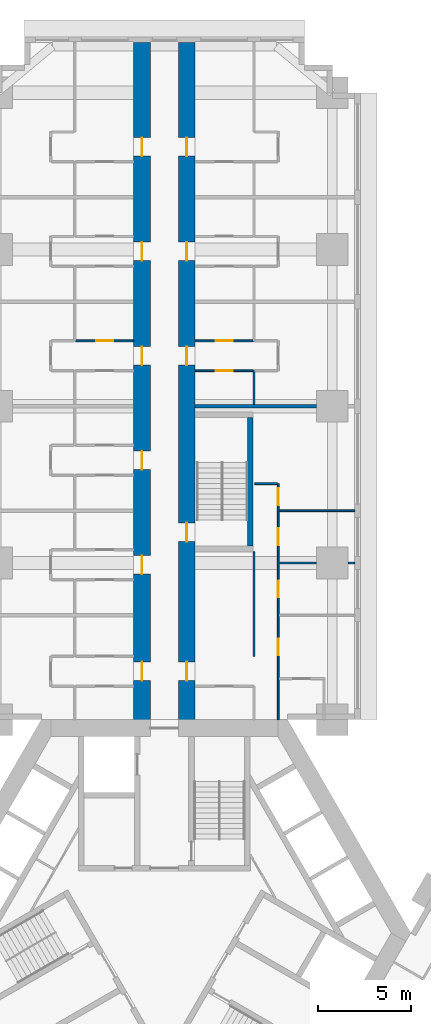
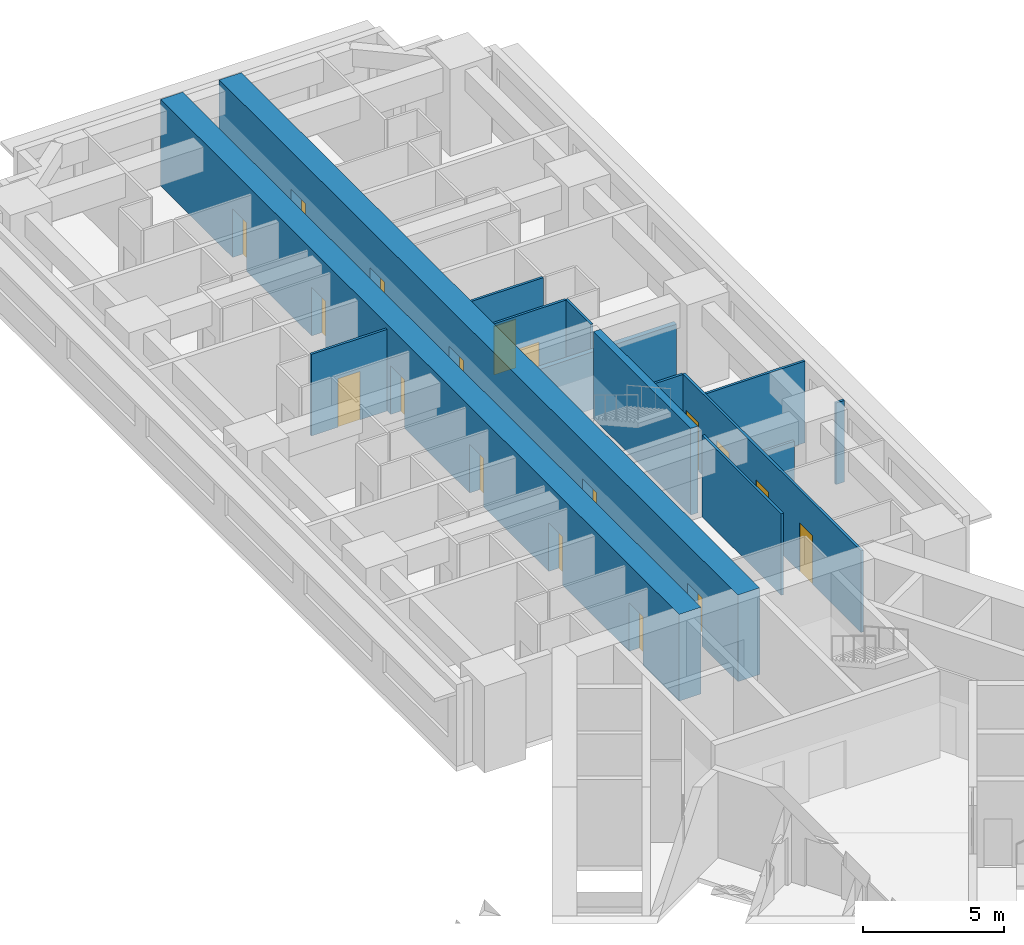
# One storey, part 10 of 17: 18 doors, 14 walls, 18 openings.
"""IFC4 building model written with IfcOpenShell, lengths in metres."""

from ifc_helpers import new_model, si_unit, direction, frame, frame_2d, origin, place, context, subcontext, project, spatial, rectangle, extrude, material, layer, layer_set, type_object, element, fill, save


model = new_model("IFC4")

# Units and contexts
model_context = context("Model", 3, precision=1e-05, world=origin(), true_north=direction((0.0, 1.0)))
body_context = subcontext(model_context, "Body", "Model", "MODEL_VIEW")
ifc_project = project(units=[si_unit("LENGTHUNIT", "METRE"), si_unit("AREAUNIT", "SQUARE_METRE"), si_unit("VOLUMEUNIT", "CUBIC_METRE"), si_unit("PLANEANGLEUNIT", "RADIAN"), si_unit("MASSUNIT", "GRAM", prefix="KILO")], contexts=[model_context])

# Site, building, storey
site_placement = place(None, origin())
site = spatial("IfcSite", under=ifc_project, at=site_placement, CompositionType="ELEMENT")
building_placement = place(site_placement, origin())
building = spatial("IfcBuilding", under=site, at=building_placement, Name="Impinga Residences", CompositionType="ELEMENT")
storey_placement = place(building_placement, frame((0.0, 0.0, 29.75)))
storey = spatial("IfcBuildingStorey", under=building, at=storey_placement, Name="L06", CompositionType="ELEMENT", Elevation=29.75)

# Wall, openings, doors
ifc_material_1 = material(Name="Concrete C70/85", Category="concrete")
ifc_layer_1 = layer(ifc_material_1, 0.89990234375)
ifc_layer_set_1 = layer_set([ifc_layer_1], Name="Concrete C70/85")
wall_type_1 = type_object("IfcWallType", Name="BW1 corridor buttress wall, L05 to L22 900", PredefinedType="SHEAR", material=ifc_layer_set_1)
wall_1_placement = place(storey_placement, frame((-1.199951171875, 10.9814453125, 0.0), z_axis=(0.0, 0.0, 1.0), x_axis=(0.0, 1.0, 0.0)))
wall_1 = element("IfcWall", 1, at=wall_1_placement, inside=storey, type_object=wall_type_1, Name="Corridor wall BW1 NC L06", PredefinedType="SHEAR", context=body_context, shape_type="SweptSolid", body=[
    extrude(rectangle(XDim=36.75, YDim=0.89990234375, at=frame_2d((18.375, 0.0))), origin(), (0.0, 0.0, 1.0), 3.75),
])
opening_1_placement = place(wall_1_placement, frame((2.550048828125, 0.0, 0.0)))
opening_1 = element("IfcOpeningElement", 2, at=opening_1_placement, cuts=wall_1, Name="Opening D1", PredefinedType="OPENING", context=body_context, shape_type="SweptSolid", body=[
    extrude(rectangle(XDim=1.0, YDim=2.10009765625, at=frame_2d((0.5, 1.050048828125))), frame((0.0, 0.4599609375, 0.0), z_axis=(0.0, -1.0, 0.0), x_axis=(1.0, 0.0, 0.0)), (0.0, 0.0, 1.0), 0.919921875),
])
opening_2_placement = place(wall_1_placement, frame((8.25, 0.0, 0.0)))
opening_2 = element("IfcOpeningElement", 3, at=opening_2_placement, cuts=wall_1, Name="Opening D1", PredefinedType="OPENING", context=body_context, shape_type="SweptSolid", body=[
    extrude(rectangle(XDim=1.0, YDim=2.10009765625, at=frame_2d((0.5, 1.050048828125))), frame((0.0, 0.4599609375, 0.0), z_axis=(0.0, -1.0, 0.0), x_axis=(1.0, 0.0, 0.0)), (0.0, 0.0, 1.0), 0.919921875),
])
opening_3_placement = place(wall_1_placement, frame((13.85009765625, 0.0, 0.0)))
opening_3 = element("IfcOpeningElement", 4, at=opening_3_placement, cuts=wall_1, Name="Opening D1", PredefinedType="OPENING", context=body_context, shape_type="SweptSolid", body=[
    extrude(rectangle(XDim=1.0, YDim=2.10009765625, at=frame_2d((0.5, 1.050048828125))), frame((0.0, 0.4599609375, 0.0), z_axis=(0.0, -1.0, 0.0), x_axis=(1.0, 0.0, 0.0)), (0.0, 0.0, 1.0), 0.919921875),
])
opening_4_placement = place(wall_1_placement, frame((19.449951171875, 0.0, 0.0)))
opening_4 = element("IfcOpeningElement", 5, at=opening_4_placement, cuts=wall_1, Name="Opening D1", PredefinedType="OPENING", context=body_context, shape_type="SweptSolid", body=[
    extrude(rectangle(XDim=1.0, YDim=2.10009765625, at=frame_2d((0.5, 1.050048828125))), frame((0.0, 0.4599609375, 0.0), z_axis=(0.0, -1.0, 0.0), x_axis=(1.0, 0.0, 0.0)), (0.0, 0.0, 1.0), 0.919921875),
])
opening_5_placement = place(wall_1_placement, frame((25.050048828125, 0.0, 0.0)))
opening_5 = element("IfcOpeningElement", 6, at=opening_5_placement, cuts=wall_1, Name="Opening D1", PredefinedType="OPENING", context=body_context, shape_type="SweptSolid", body=[
    extrude(rectangle(XDim=1.0, YDim=2.10009765625, at=frame_2d((0.5, 1.050048828125))), frame((0.0, 0.4599609375, 0.0), z_axis=(0.0, -1.0, 0.0), x_axis=(1.0, 0.0, 0.0)), (0.0, 0.0, 1.0), 0.919921875),
])
opening_6_placement = place(wall_1_placement, frame((30.64990234375, 0.0, 0.0)))
opening_6 = element("IfcOpeningElement", 7, at=opening_6_placement, cuts=wall_1, Name="Opening D1", PredefinedType="OPENING", context=body_context, shape_type="SweptSolid", body=[
    extrude(rectangle(XDim=1.0, YDim=2.10009765625, at=frame_2d((0.5, 1.050048828125))), frame((0.0, 0.4599609375, 0.0), z_axis=(0.0, -1.0, 0.0), x_axis=(1.0, 0.0, 0.0)), (0.0, 0.0, 1.0), 0.919921875),
])
ifc_material_2 = material(Name="Timber door set", Category="wood")
door_type_1 = type_object("IfcDoorType", Name="D1 apartment entrance door 1000x2100", OperationType="SINGLE_SWING_LEFT", PredefinedType="DOOR", material=ifc_material_2)
door_1_placement = place(opening_1_placement, origin())
door_1 = element("IfcDoor", 8, at=door_1_placement, inside=storey, type_object=door_type_1, Name="Apartment L06-NA1 entrance", OperationType="SINGLE_SWING_LEFT", OverallHeight=2.10009765625, OverallWidth=1.0, PredefinedType="DOOR", context=body_context, shape_type="SweptSolid", body=[
    extrude(rectangle(XDim=1.0, YDim=2.10009765625, at=frame_2d((0.5, 1.050048828125))), frame((0.0, 0.02490234375, 0.0), z_axis=(0.0, -1.0, 0.0), x_axis=(1.0, 0.0, 0.0)), (0.0, 0.0, 1.0), 0.050048828125),
])
fill(opening_1, door_1)
door_2_placement = place(opening_2_placement, origin())
door_2 = element("IfcDoor", 9, at=door_2_placement, inside=storey, type_object=door_type_1, Name="Apartment L06-NA2 entrance", OperationType="SINGLE_SWING_LEFT", OverallHeight=2.10009765625, OverallWidth=1.0, PredefinedType="DOOR", context=body_context, shape_type="SweptSolid", body=[
    extrude(rectangle(XDim=1.0, YDim=2.10009765625, at=frame_2d((0.5, 1.050048828125))), frame((0.0, 0.02490234375, 0.0), z_axis=(0.0, -1.0, 0.0), x_axis=(1.0, 0.0, 0.0)), (0.0, 0.0, 1.0), 0.050048828125),
])
fill(opening_2, door_2)
door_3_placement = place(opening_3_placement, origin())
door_3 = element("IfcDoor", 10, at=door_3_placement, inside=storey, type_object=door_type_1, Name="Apartment L06-NA3 entrance", OperationType="SINGLE_SWING_LEFT", OverallHeight=2.10009765625, OverallWidth=1.0, PredefinedType="DOOR", context=body_context, shape_type="SweptSolid", body=[
    extrude(rectangle(XDim=1.0, YDim=2.10009765625, at=frame_2d((0.5, 1.050048828125))), frame((0.0, 0.02490234375, 0.0), z_axis=(0.0, -1.0, 0.0), x_axis=(1.0, 0.0, 0.0)), (0.0, 0.0, 1.0), 0.050048828125),
])
fill(opening_3, door_3)
door_4_placement = place(opening_4_placement, origin())
door_4 = element("IfcDoor", 11, at=door_4_placement, inside=storey, type_object=door_type_1, Name="Apartment L06-NA4 entrance", OperationType="SINGLE_SWING_RIGHT", OverallHeight=2.10009765625, OverallWidth=1.0, PredefinedType="DOOR", context=body_context, shape_type="SweptSolid", body=[
    extrude(rectangle(XDim=1.0, YDim=2.10009765625, at=frame_2d((0.5, 1.050048828125))), frame((0.0, 0.02490234375, 0.0), z_axis=(0.0, -1.0, 0.0), x_axis=(1.0, 0.0, 0.0)), (0.0, 0.0, 1.0), 0.050048828125),
])
fill(opening_4, door_4)
door_5_placement = place(opening_5_placement, origin())
door_5 = element("IfcDoor", 12, at=door_5_placement, inside=storey, type_object=door_type_1, Name="Apartment L06-NA5 entrance", OperationType="SINGLE_SWING_RIGHT", OverallHeight=2.10009765625, OverallWidth=1.0, PredefinedType="DOOR", context=body_context, shape_type="SweptSolid", body=[
    extrude(rectangle(XDim=1.0, YDim=2.10009765625, at=frame_2d((0.5, 1.050048828125))), frame((0.0, 0.02490234375, 0.0), z_axis=(0.0, -1.0, 0.0), x_axis=(1.0, 0.0, 0.0)), (0.0, 0.0, 1.0), 0.050048828125),
])
fill(opening_5, door_5)
door_6_placement = place(opening_6_placement, origin())
door_6 = element("IfcDoor", 13, at=door_6_placement, inside=storey, type_object=door_type_1, Name="Apartment L06-NA6 entrance", OperationType="SINGLE_SWING_RIGHT", OverallHeight=2.10009765625, OverallWidth=1.0, PredefinedType="DOOR", context=body_context, shape_type="SweptSolid", body=[
    extrude(rectangle(XDim=1.0, YDim=2.10009765625, at=frame_2d((0.5, 1.050048828125))), frame((0.0, 0.02490234375, 0.0), z_axis=(0.0, -1.0, 0.0), x_axis=(1.0, 0.0, 0.0)), (0.0, 0.0, 1.0), 0.050048828125),
])
fill(opening_6, door_6)

wall_2_placement = place(storey_placement, frame((1.199951171875, 10.9814453125, 0.0), z_axis=(0.0, 0.0, 1.0), x_axis=(0.0, 1.0, 0.0)))
wall_2 = element("IfcWall", 14, at=wall_2_placement, inside=storey, type_object=wall_type_1, Name="Corridor wall BW1 ND L06", PredefinedType="SHEAR", context=body_context, shape_type="SweptSolid", body=[
    extrude(rectangle(XDim=36.75, YDim=0.89990234375, at=frame_2d((18.375, 0.0))), origin(), (0.0, 0.0, 1.0), 3.75),
])
opening_7_placement = place(wall_2_placement, frame((10.0, 0.0, 0.0)))
opening_7 = element("IfcOpeningElement", 15, at=opening_7_placement, cuts=wall_2, Name="Opening D5", PredefinedType="OPENING", context=body_context, shape_type="SweptSolid", body=[
    extrude(rectangle(XDim=1.0, YDim=2.10009765625, at=frame_2d((0.5, 1.050048828125))), frame((0.0, 0.4599609375, 0.0), z_axis=(0.0, -1.0, 0.0), x_axis=(1.0, 0.0, 0.0)), (0.0, 0.0, 1.0), 0.919921875),
])
opening_8_placement = place(wall_2_placement, frame((2.550048828125, 0.0, 0.0)))
opening_8 = element("IfcOpeningElement", 16, at=opening_8_placement, cuts=wall_2, Name="Opening D1", PredefinedType="OPENING", context=body_context, shape_type="SweptSolid", body=[
    extrude(rectangle(XDim=1.0, YDim=2.10009765625, at=frame_2d((0.5, 1.050048828125))), frame((0.0, 0.4599609375, 0.0), z_axis=(0.0, -1.0, 0.0), x_axis=(1.0, 0.0, 0.0)), (0.0, 0.0, 1.0), 0.919921875),
])
opening_9_placement = place(wall_2_placement, frame((19.449951171875, 0.0, 0.0)))
opening_9 = element("IfcOpeningElement", 17, at=opening_9_placement, cuts=wall_2, Name="Opening D1", PredefinedType="OPENING", context=body_context, shape_type="SweptSolid", body=[
    extrude(rectangle(XDim=1.0, YDim=2.10009765625, at=frame_2d((0.5, 1.050048828125))), frame((0.0, 0.4599609375, 0.0), z_axis=(0.0, -1.0, 0.0), x_axis=(1.0, 0.0, 0.0)), (0.0, 0.0, 1.0), 0.919921875),
])
opening_10_placement = place(wall_2_placement, frame((25.050048828125, 0.0, 0.0)))
opening_10 = element("IfcOpeningElement", 18, at=opening_10_placement, cuts=wall_2, Name="Opening D1", PredefinedType="OPENING", context=body_context, shape_type="SweptSolid", body=[
    extrude(rectangle(XDim=1.0, YDim=2.10009765625, at=frame_2d((0.5, 1.050048828125))), frame((0.0, 0.4599609375, 0.0), z_axis=(0.0, -1.0, 0.0), x_axis=(1.0, 0.0, 0.0)), (0.0, 0.0, 1.0), 0.919921875),
])
opening_11_placement = place(wall_2_placement, frame((30.64990234375, 0.0, 0.0)))
opening_11 = element("IfcOpeningElement", 19, at=opening_11_placement, cuts=wall_2, Name="Opening D1", PredefinedType="OPENING", context=body_context, shape_type="SweptSolid", body=[
    extrude(rectangle(XDim=1.0, YDim=2.10009765625, at=frame_2d((0.5, 1.050048828125))), frame((0.0, 0.4599609375, 0.0), z_axis=(0.0, -1.0, 0.0), x_axis=(1.0, 0.0, 0.0)), (0.0, 0.0, 1.0), 0.919921875),
])
door_7_placement = place(opening_8_placement, origin())
door_7 = element("IfcDoor", 20, at=door_7_placement, inside=storey, type_object=door_type_1, Name="Apartment L06-NF1 entrance", OperationType="SINGLE_SWING_LEFT", OverallHeight=2.10009765625, OverallWidth=1.0, PredefinedType="DOOR", context=body_context, shape_type="SweptSolid", body=[
    extrude(rectangle(XDim=1.0, YDim=2.10009765625, at=frame_2d((0.5, 1.050048828125))), frame((0.0, 0.02490234375, 0.0), z_axis=(0.0, -1.0, 0.0), x_axis=(1.0, 0.0, 0.0)), (0.0, 0.0, 1.0), 0.050048828125),
])
fill(opening_8, door_7)
door_8_placement = place(opening_9_placement, origin())
door_8 = element("IfcDoor", 21, at=door_8_placement, inside=storey, type_object=door_type_1, Name="Apartment L06-NF2 entrance", OperationType="SINGLE_SWING_RIGHT", OverallHeight=2.10009765625, OverallWidth=1.0, PredefinedType="DOOR", context=body_context, shape_type="SweptSolid", body=[
    extrude(rectangle(XDim=1.0, YDim=2.10009765625, at=frame_2d((0.5, 1.050048828125))), frame((0.0, 0.02490234375, 0.0), z_axis=(0.0, -1.0, 0.0), x_axis=(1.0, 0.0, 0.0)), (0.0, 0.0, 1.0), 0.050048828125),
])
fill(opening_9, door_8)
door_9_placement = place(opening_10_placement, origin())
door_9 = element("IfcDoor", 22, at=door_9_placement, inside=storey, type_object=door_type_1, Name="Apartment L06-NF3 entrance", OperationType="SINGLE_SWING_RIGHT", OverallHeight=2.10009765625, OverallWidth=1.0, PredefinedType="DOOR", context=body_context, shape_type="SweptSolid", body=[
    extrude(rectangle(XDim=1.0, YDim=2.10009765625, at=frame_2d((0.5, 1.050048828125))), frame((0.0, 0.02490234375, 0.0), z_axis=(0.0, -1.0, 0.0), x_axis=(1.0, 0.0, 0.0)), (0.0, 0.0, 1.0), 0.050048828125),
])
fill(opening_10, door_9)
door_10_placement = place(opening_11_placement, origin())
door_10 = element("IfcDoor", 23, at=door_10_placement, inside=storey, type_object=door_type_1, Name="Apartment L06-NF4 entrance", OperationType="SINGLE_SWING_RIGHT", OverallHeight=2.10009765625, OverallWidth=1.0, PredefinedType="DOOR", context=body_context, shape_type="SweptSolid", body=[
    extrude(rectangle(XDim=1.0, YDim=2.10009765625, at=frame_2d((0.5, 1.050048828125))), frame((0.0, 0.02490234375, 0.0), z_axis=(0.0, -1.0, 0.0), x_axis=(1.0, 0.0, 0.0)), (0.0, 0.0, 1.0), 0.050048828125),
])
fill(opening_11, door_10)
door_type_2 = type_object("IfcDoorType", Name="D5 stair door 1000x2100", OperationType="SINGLE_SWING_LEFT", PredefinedType="DOOR", material=ifc_material_2)
door_11_placement = place(opening_7_placement, origin())
door_11 = element("IfcDoor", 24, at=door_11_placement, inside=storey, type_object=door_type_2, Name="Wing stair door N", OperationType="SINGLE_SWING_LEFT", OverallHeight=2.10009765625, OverallWidth=1.0, PredefinedType="DOOR", context=body_context, shape_type="SweptSolid", body=[
    extrude(rectangle(XDim=1.0, YDim=2.10009765625, at=frame_2d((0.5, 1.050048828125))), frame((0.0, 0.02490234375, 0.0), z_axis=(0.0, -1.0, 0.0), x_axis=(1.0, 0.0, 0.0)), (0.0, 0.0, 1.0), 0.050048828125),
])
fill(opening_7, door_11)

# Wall, opening, door
ifc_material_3 = material(Name="Gypsum board on steel studs", Category="steel")
ifc_layer_2 = layer(ifc_material_3, 0.10009765625)
ifc_layer_set_2 = layer_set([ifc_layer_2], Name="Gypsum board on steel studs")
wall_type_2 = type_object("IfcWallType", Name="IP1 partition 100", PredefinedType="PARTITIONING", material=ifc_layer_set_2)
wall_3_placement = place(storey_placement, frame((-1.64990234375, 31.7314453125, 0.0), z_axis=(0.0, 0.0, 1.0), x_axis=(-1.0, 0.0, 0.0)))
wall_3 = element("IfcWall", 25, at=wall_3_placement, inside=storey, type_object=wall_type_2, Name="Partition L06-NA4:IB2", PredefinedType="PARTITIONING", context=body_context, shape_type="SweptSolid", body=[
    extrude(rectangle(XDim=3.10009765625, YDim=0.10009765625, at=frame_2d((1.550048828125, 0.0))), origin(), (0.0, 0.0, 1.0), 3.530029296875),
])
opening_12_placement = place(wall_3_placement, frame((1.10009765625, 0.0, 0.0)))
opening_12 = element("IfcOpeningElement", 26, at=opening_12_placement, cuts=wall_3, Name="Opening D2", PredefinedType="OPENING", context=body_context, shape_type="SweptSolid", body=[
    extrude(rectangle(XDim=0.89990234375, YDim=2.10009765625, at=frame_2d((0.449951171875, 1.050048828125))), frame((0.0, 0.06005859375, 0.0), z_axis=(0.0, -1.0, 0.0), x_axis=(1.0, 0.0, 0.0)), (0.0, 0.0, 1.0), 0.1201171875),
])
door_type_3 = type_object("IfcDoorType", Name="D2 internal door 900x2100", OperationType="SINGLE_SWING_LEFT", PredefinedType="DOOR", material=ifc_material_2)
door_12_placement = place(opening_12_placement, origin())
door_12 = element("IfcDoor", 27, at=door_12_placement, inside=storey, type_object=door_type_3, Name="Apartment L06-NA4 WC door", OperationType="SINGLE_SWING_LEFT", OverallHeight=2.10009765625, OverallWidth=0.89990234375, PredefinedType="DOOR", context=body_context, shape_type="SweptSolid", body=[
    extrude(rectangle(XDim=0.89990234375, YDim=2.10009765625, at=frame_2d((0.449951171875, 1.050048828125))), frame((0.0, 0.02490234375, 0.0), z_axis=(0.0, -1.0, 0.0), x_axis=(1.0, 0.0, 0.0)), (0.0, 0.0, 1.0), 0.050048828125),
])
fill(opening_12, door_12)

# Wall
wall_4_placement = place(storey_placement, frame((4.800048828125, 14.83154296875, 0.0), z_axis=(0.0, 0.0, 1.0), x_axis=(0.0, 1.0, 0.0)))
element("IfcWall", 28, at=wall_4_placement, inside=storey, type_object=wall_type_2, Name="Partition L06-NF1:DIV1", PredefinedType="PARTITIONING", context=body_context, shape_type="SweptSolid", body=[
    extrude(rectangle(XDim=5.60009765625, YDim=0.10009765625, at=frame_2d((2.800048828125, 0.0))), origin(), (0.0, 0.0, 1.0), 3.530029296875),
])

# Wall, openings, doors
wall_5_placement = place(storey_placement, frame((6.10009765625, 11.431640625, 0.0), z_axis=(0.0, 0.0, 1.0), x_axis=(0.0, 1.0, 0.0)))
wall_5 = element("IfcWall", 29, at=wall_5_placement, inside=storey, type_object=wall_type_2, Name="Partition L06-NF1:STRIP", PredefinedType="PARTITIONING", context=body_context, shape_type="SweptSolid", body=[
    extrude(rectangle(XDim=12.64990234375, YDim=0.10009765625, at=frame_2d((6.324951171875, 0.0))), origin(), (0.0, 0.0, 1.0), 3.530029296875),
])
opening_13_placement = place(wall_5_placement, frame((3.449951171875, 0.0, 0.0)))
opening_13 = element("IfcOpeningElement", 30, at=opening_13_placement, cuts=wall_5, Name="Opening D2", PredefinedType="OPENING", context=body_context, shape_type="SweptSolid", body=[
    extrude(rectangle(XDim=0.89990234375, YDim=2.10009765625, at=frame_2d((0.449951171875, 1.050048828125))), frame((0.0, 0.06005859375, 0.0), z_axis=(0.0, -1.0, 0.0), x_axis=(1.0, 0.0, 0.0)), (0.0, 0.0, 1.0), 0.1201171875),
])
opening_14_placement = place(wall_5_placement, frame((6.550048828125, 0.0, 0.0)))
opening_14 = element("IfcOpeningElement", 31, at=opening_14_placement, cuts=wall_5, Name="Opening D2", PredefinedType="OPENING", context=body_context, shape_type="SweptSolid", body=[
    extrude(rectangle(XDim=0.89990234375, YDim=2.10009765625, at=frame_2d((0.449951171875, 1.050048828125))), frame((0.0, 0.06005859375, 0.0), z_axis=(0.0, -1.0, 0.0), x_axis=(1.0, 0.0, 0.0)), (0.0, 0.0, 1.0), 0.1201171875),
])
opening_15_placement = place(wall_5_placement, frame((9.35009765625, 0.0, 0.0)))
opening_15 = element("IfcOpeningElement", 32, at=opening_15_placement, cuts=wall_5, Name="Opening D2", PredefinedType="OPENING", context=body_context, shape_type="SweptSolid", body=[
    extrude(rectangle(XDim=0.89990234375, YDim=2.10009765625, at=frame_2d((0.449951171875, 1.050048828125))), frame((0.0, 0.06005859375, 0.0), z_axis=(0.0, -1.0, 0.0), x_axis=(1.0, 0.0, 0.0)), (0.0, 0.0, 1.0), 0.1201171875),
])
opening_16_placement = place(wall_5_placement, frame((11.5, 0.0, 0.0)))
opening_16 = element("IfcOpeningElement", 33, at=opening_16_placement, cuts=wall_5, Name="Opening D2", PredefinedType="OPENING", context=body_context, shape_type="SweptSolid", body=[
    extrude(rectangle(XDim=0.89990234375, YDim=2.10009765625, at=frame_2d((0.449951171875, 1.050048828125))), frame((0.0, 0.06005859375, 0.0), z_axis=(0.0, -1.0, 0.0), x_axis=(1.0, 0.0, 0.0)), (0.0, 0.0, 1.0), 0.1201171875),
])
door_13_placement = place(opening_13_placement, origin())
door_13 = element("IfcDoor", 34, at=door_13_placement, inside=storey, type_object=door_type_3, Name="Apartment L06-NF1 room door", OperationType="SINGLE_SWING_LEFT", OverallHeight=2.10009765625, OverallWidth=0.89990234375, PredefinedType="DOOR", context=body_context, shape_type="SweptSolid", body=[
    extrude(rectangle(XDim=0.89990234375, YDim=2.10009765625, at=frame_2d((0.449951171875, 1.050048828125))), frame((0.0, 0.02490234375, 0.0), z_axis=(0.0, -1.0, 0.0), x_axis=(1.0, 0.0, 0.0)), (0.0, 0.0, 1.0), 0.050048828125),
])
fill(opening_13, door_13)
door_14_placement = place(opening_14_placement, origin())
door_14 = element("IfcDoor", 35, at=door_14_placement, inside=storey, type_object=door_type_3, Name="Apartment L06-NF1 room door", OperationType="SINGLE_SWING_RIGHT", OverallHeight=2.10009765625, OverallWidth=0.89990234375, PredefinedType="DOOR", context=body_context, shape_type="SweptSolid", body=[
    extrude(rectangle(XDim=0.89990234375, YDim=2.10009765625, at=frame_2d((0.449951171875, 1.050048828125))), frame((0.0, 0.02490234375, 0.0), z_axis=(0.0, -1.0, 0.0), x_axis=(1.0, 0.0, 0.0)), (0.0, 0.0, 1.0), 0.050048828125),
])
fill(opening_14, door_14)
door_15_placement = place(opening_15_placement, origin())
door_15 = element("IfcDoor", 36, at=door_15_placement, inside=storey, type_object=door_type_3, Name="Apartment L06-NF1 room door", OperationType="SINGLE_SWING_RIGHT", OverallHeight=2.10009765625, OverallWidth=0.89990234375, PredefinedType="DOOR", context=body_context, shape_type="SweptSolid", body=[
    extrude(rectangle(XDim=0.89990234375, YDim=2.10009765625, at=frame_2d((0.449951171875, 1.050048828125))), frame((0.0, 0.02490234375, 0.0), z_axis=(0.0, -1.0, 0.0), x_axis=(1.0, 0.0, 0.0)), (0.0, 0.0, 1.0), 0.050048828125),
])
fill(opening_15, door_15)
door_16_placement = place(opening_16_placement, origin())
door_16 = element("IfcDoor", 37, at=door_16_placement, inside=storey, type_object=door_type_3, Name="Apartment L06-NF1 room door", OperationType="SINGLE_SWING_RIGHT", OverallHeight=2.10009765625, OverallWidth=0.89990234375, PredefinedType="DOOR", context=body_context, shape_type="SweptSolid", body=[
    extrude(rectangle(XDim=0.89990234375, YDim=2.10009765625, at=frame_2d((0.449951171875, 1.050048828125))), frame((0.0, 0.02490234375, 0.0), z_axis=(0.0, -1.0, 0.0), x_axis=(1.0, 0.0, 0.0)), (0.0, 0.0, 1.0), 0.050048828125),
])
fill(opening_16, door_16)

# Walls
wall_6_placement = place(storey_placement, frame((4.85009765625, 24.08154296875, 0.0), z_axis=(0.0, 0.0, 1.0), x_axis=(1.0, 0.0, 0.0)))
element("IfcWall", 38, at=wall_6_placement, inside=storey, type_object=wall_type_2, Name="Partition L06-NF1:SE1", PredefinedType="PARTITIONING", context=body_context, shape_type="SweptSolid", body=[
    extrude(rectangle(XDim=1.199951171875, YDim=0.10009765625, at=frame_2d((0.60009765625, 0.0))), origin(), (0.0, 0.0, 1.0), 3.530029296875),
])
wall_7_placement = place(storey_placement, frame((6.14990234375, 19.83154296875, 0.0), z_axis=(0.0, 0.0, 1.0), x_axis=(1.0, 0.0, 0.0)))
element("IfcWall", 39, at=wall_7_placement, inside=storey, type_object=wall_type_2, Name="Partition L06-NF1:OB2", PredefinedType="PARTITIONING", context=body_context, shape_type="SweptSolid", body=[
    extrude(rectangle(XDim=2.0, YDim=0.10009765625, at=frame_2d((1.0, 0.0))), origin(), (0.0, 0.0, 1.0), 2.47998046875),
])
wall_8_placement = place(storey_placement, frame((9.85009765625, 19.83154296875, 0.0), z_axis=(0.0, 0.0, 1.0), x_axis=(1.0, 0.0, 0.0)))
element("IfcWall", 40, at=wall_8_placement, inside=storey, type_object=wall_type_2, Name="Partition L06-NF1:OB2b", PredefinedType="PARTITIONING", context=body_context, shape_type="SweptSolid", body=[
    extrude(rectangle(XDim=0.349853515625, YDim=0.10009765625, at=frame_2d((0.1748046875, 0.0))), origin(), (0.0, 0.0, 1.0), 3.530029296875),
])
wall_9_placement = place(storey_placement, frame((6.14990234375, 22.631591796875, 0.0), z_axis=(0.0, 0.0, 1.0), x_axis=(1.0, 0.0, 0.0)))
element("IfcWall", 41, at=wall_9_placement, inside=storey, type_object=wall_type_2, Name="Partition L06-NF1:OB3", PredefinedType="PARTITIONING", context=body_context, shape_type="SweptSolid", body=[
    extrude(rectangle(XDim=4.050048828125, YDim=0.10009765625, at=frame_2d((2.02490234375, 0.0))), origin(), (0.0, 0.0, 1.0), 3.530029296875),
])
wall_10_placement = place(storey_placement, frame((4.800048828125, 28.33154296875, 0.0), z_axis=(0.0, 0.0, 1.0), x_axis=(0.0, 1.0, 0.0)))
element("IfcWall", 42, at=wall_10_placement, inside=storey, type_object=wall_type_2, Name="Partition L06-NF2:DIV0", PredefinedType="PARTITIONING", context=body_context, shape_type="SweptSolid", body=[
    extrude(rectangle(XDim=1.800048828125, YDim=0.10009765625, at=frame_2d((0.89990234375, 0.0))), origin(), (0.0, 0.0, 1.0), 3.530029296875),
])

# Wall, opening, door
wall_11_placement = place(storey_placement, frame((1.64990234375, 30.131591796875, 0.0), z_axis=(0.0, 0.0, 1.0), x_axis=(1.0, 0.0, 0.0)))
wall_11 = element("IfcWall", 43, at=wall_11_placement, inside=storey, type_object=wall_type_2, Name="Partition L06-NF2:IB1", PredefinedType="PARTITIONING", context=body_context, shape_type="SweptSolid", body=[
    extrude(rectangle(XDim=3.10009765625, YDim=0.10009765625, at=frame_2d((1.550048828125, 0.0))), origin(), (0.0, 0.0, 1.0), 3.530029296875),
])
opening_17_placement = place(wall_11_placement, frame((1.10009765625, 0.0, 0.0)))
opening_17 = element("IfcOpeningElement", 44, at=opening_17_placement, cuts=wall_11, Name="Opening D2", PredefinedType="OPENING", context=body_context, shape_type="SweptSolid", body=[
    extrude(rectangle(XDim=0.89990234375, YDim=2.10009765625, at=frame_2d((0.449951171875, 1.050048828125))), frame((0.0, 0.06005859375, 0.0), z_axis=(0.0, -1.0, 0.0), x_axis=(1.0, 0.0, 0.0)), (0.0, 0.0, 1.0), 0.1201171875),
])
door_17_placement = place(opening_17_placement, origin())
door_17 = element("IfcDoor", 45, at=door_17_placement, inside=storey, type_object=door_type_3, Name="Apartment L06-NF2 bathroom door", OperationType="SINGLE_SWING_LEFT", OverallHeight=2.10009765625, OverallWidth=0.89990234375, PredefinedType="DOOR", context=body_context, shape_type="SweptSolid", body=[
    extrude(rectangle(XDim=0.89990234375, YDim=2.10009765625, at=frame_2d((0.449951171875, 1.050048828125))), frame((0.0, 0.02490234375, 0.0), z_axis=(0.0, -1.0, 0.0), x_axis=(1.0, 0.0, 0.0)), (0.0, 0.0, 1.0), 0.050048828125),
])
fill(opening_17, door_17)

wall_12_placement = place(storey_placement, frame((1.64990234375, 31.7314453125, 0.0), z_axis=(0.0, 0.0, 1.0), x_axis=(1.0, 0.0, 0.0)))
wall_12 = element("IfcWall", 46, at=wall_12_placement, inside=storey, type_object=wall_type_2, Name="Partition L06-NF2:IB2", PredefinedType="PARTITIONING", context=body_context, shape_type="SweptSolid", body=[
    extrude(rectangle(XDim=3.10009765625, YDim=0.10009765625, at=frame_2d((1.550048828125, 0.0))), origin(), (0.0, 0.0, 1.0), 3.530029296875),
])
opening_18_placement = place(wall_12_placement, frame((1.10009765625, 0.0, 0.0)))
opening_18 = element("IfcOpeningElement", 47, at=opening_18_placement, cuts=wall_12, Name="Opening D2", PredefinedType="OPENING", context=body_context, shape_type="SweptSolid", body=[
    extrude(rectangle(XDim=0.89990234375, YDim=2.10009765625, at=frame_2d((0.449951171875, 1.050048828125))), frame((0.0, 0.06005859375, 0.0), z_axis=(0.0, -1.0, 0.0), x_axis=(1.0, 0.0, 0.0)), (0.0, 0.0, 1.0), 0.1201171875),
])
door_18_placement = place(opening_18_placement, origin())
door_18 = element("IfcDoor", 48, at=door_18_placement, inside=storey, type_object=door_type_3, Name="Apartment L06-NF2 WC door", OperationType="SINGLE_SWING_LEFT", OverallHeight=2.10009765625, OverallWidth=0.89990234375, PredefinedType="DOOR", context=body_context, shape_type="SweptSolid", body=[
    extrude(rectangle(XDim=0.89990234375, YDim=2.10009765625, at=frame_2d((0.449951171875, 1.050048828125))), frame((0.0, 0.02490234375, 0.0), z_axis=(0.0, -1.0, 0.0), x_axis=(1.0, 0.0, 0.0)), (0.0, 0.0, 1.0), 0.050048828125),
])
fill(opening_18, door_18)

# Walls
ifc_material_4 = material(Name="Concrete blockwork", Category="masonry")
ifc_layer_3 = layer(ifc_material_4, 0.199951171875)
ifc_layer_set_3 = layer_set([ifc_layer_3], Name="PW1 party wall between apartments 200")
wall_type_3 = type_object("IfcWallType", Name="PW1 party wall between apartments 200", PredefinedType="SOLIDWALL", material=ifc_layer_set_3)
wall_13_placement = place(storey_placement, frame((1.64990234375, 28.2314453125, 0.0), z_axis=(0.0, 0.0, 1.0), x_axis=(1.0, 0.0, 0.0)))
element("IfcWall", 49, at=wall_13_placement, inside=storey, type_object=wall_type_3, Name="Party wall between apartments L06-NF1:PARTY", PredefinedType="SOLIDWALL", context=body_context, shape_type="SweptSolid", body=[
    extrude(rectangle(XDim=6.5, YDim=0.199951171875, at=frame_2d((3.25, 0.0))), origin(), (0.0, 0.0, 1.0), 2.47998046875),
])
ifc_material_5 = material(Name="Concrete C60/75", Category="concrete")
ifc_layer_4 = layer(ifc_material_5, 0.300048828125)
ifc_layer_set_4 = layer_set([ifc_layer_4], Name="Concrete C60/75")
wall_type_4 = type_object("IfcWallType", Name="SE1 wing stair enclosure wall 300", PredefinedType="SOLIDWALL", material=ifc_layer_set_4)
wall_14_placement = place(storey_placement, frame((4.60009765625, 20.7314453125, 0.0), z_axis=(0.0, 0.0, 1.0), x_axis=(0.0, 1.0, 0.0)))
element("IfcWall", 50, at=wall_14_placement, inside=storey, type_object=wall_type_4, Name="Stair enclosure wall SE1 N OUT L06", PredefinedType="SOLIDWALL", context=body_context, shape_type="SweptSolid", body=[
    extrude(rectangle(XDim=6.900146484375, YDim=0.300048828125, at=frame_2d((3.4501953125, 0.0))), origin(), (0.0, 0.0, 1.0), 3.75),
])

save(model, "model.ifc")
